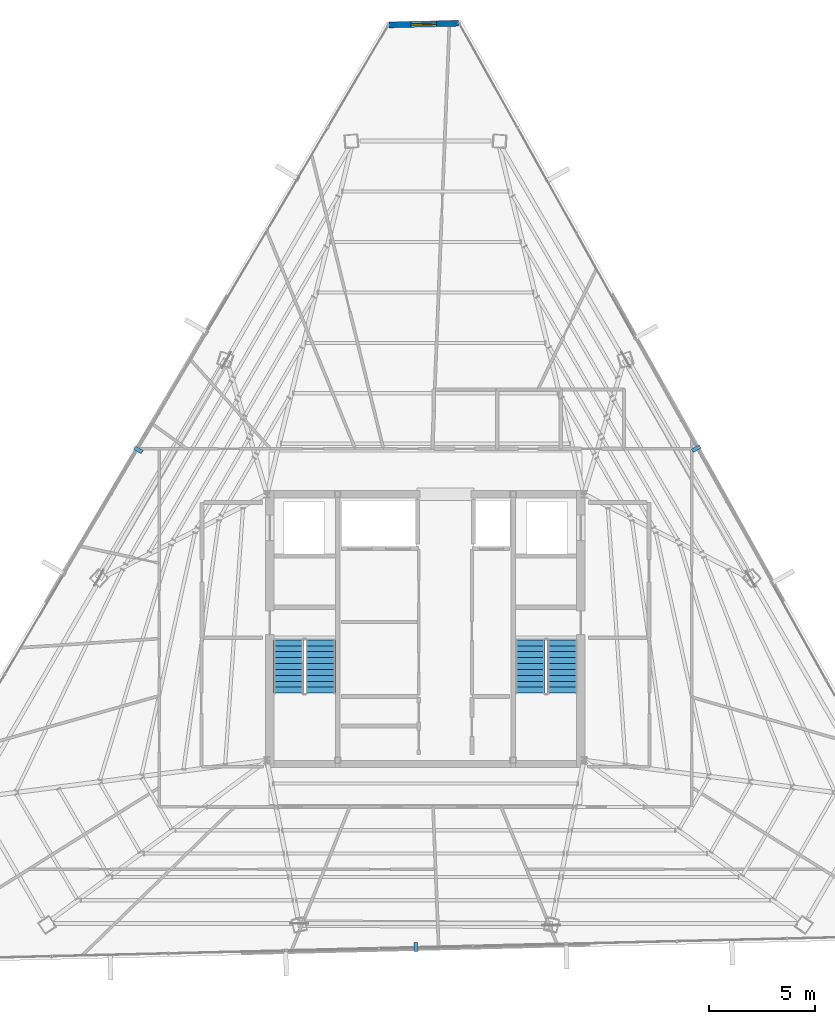
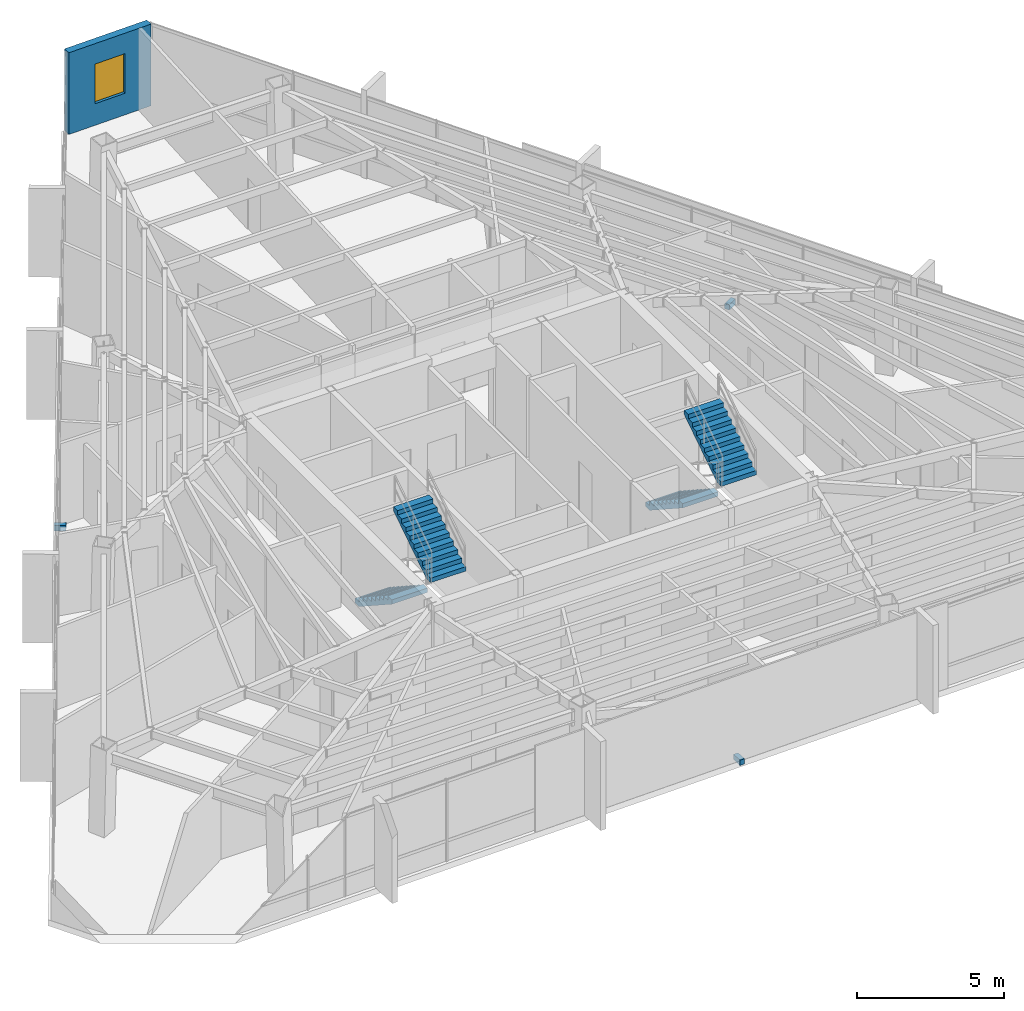
# One storey, part 46 of 48: 4 stair flights, 3 discrete accessories, 1 wall, 1 window, 1 opening, 2 elements without a shape of their own.
"""IFC4 building model written with IfcOpenShell, lengths in metres."""

from ifc_helpers import new_model, si_unit, direction, frame, frame_2d, origin, origin_2d, place, context, subcontext, project, spatial, polyline, rectangle, outline, extrude, source, transform, mapped, material, layer, layer_set, type_object, type_shapes, element, fill, aggregate, save


model = new_model("IFC4")

# Units and contexts
model_context = context("Model", 3, precision=1e-05, world=origin(), true_north=direction((0.0, 1.0)))
body_context = subcontext(model_context, "Body", "Model", "MODEL_VIEW")
ifc_project = project(units=[si_unit("LENGTHUNIT", "METRE"), si_unit("AREAUNIT", "SQUARE_METRE"), si_unit("VOLUMEUNIT", "CUBIC_METRE"), si_unit("PLANEANGLEUNIT", "RADIAN"), si_unit("MASSUNIT", "GRAM", prefix="KILO")], contexts=[model_context])

# Site, building, storey
site_placement = place(None, origin())
site = spatial("IfcSite", under=ifc_project, at=site_placement, CompositionType="ELEMENT")
building_placement = place(site_placement, origin())
building = spatial("IfcBuilding", under=site, at=building_placement, Name="Caelisora Broadcast Tower", CompositionType="ELEMENT")
storey_placement = place(building_placement, frame((0.0, 0.0, 270.0)))
storey = spatial("IfcBuildingStorey", under=building, at=storey_placement, Name="L71", CompositionType="ELEMENT", Elevation=270.0)

# Wall, opening, window
ifc_material_1 = material(Name="Insulated Terracotta Spandrel Wall System", Category="masonry")
ifc_layer = layer(ifc_material_1, 0.280029296875, Name="Insulated Terracotta Spandrel Wall System")
ifc_layer_set = layer_set([ifc_layer], Name="Insulated Terracotta Spandrel Wall System")
wall_type = type_object("IfcWallType", Name="EW1", PredefinedType="STANDARD", material=ifc_layer_set)
wall_placement = place(storey_placement, frame((36.283935546875, 52.206787109375, 0.0), z_axis=(0.0, 0.0, 1.0), x_axis=(0.999706652686, 0.024220003625, 0.0)))
wall = element("IfcWall", 1, at=wall_placement, inside=storey, type_object=wall_type, Name="L71 exterior envelope wall EW1", PredefinedType="STANDARD", context=body_context, shape_type="SweptSolid", body=[
    extrude(rectangle(XDim=3.2861328125, YDim=0.280029296875, at=frame_2d((1.64306640625, 0.0))), origin(), (0.0, 0.0, 1.0), 3.39990234375),
])
opening_placement = place(wall_placement, frame((1.0400390625, 0.0, 0.89990234375)))
opening = element("IfcOpeningElement", 2, at=opening_placement, cuts=wall, Name="Opening W03", PredefinedType="OPENING", context=body_context, shape_type="SweptSolid", body=[
    extrude(rectangle(XDim=1.199951171875, YDim=1.64990234375, at=frame_2d((0.60009765625, 0.824951171875))), frame((0.0, 0.152099609375, 0.0), z_axis=(0.0, -1.0, 0.0), x_axis=(1.0, 0.0, 0.0)), (0.0, 0.0, 1.0), 0.303955078125),
])
ifc_material_2 = material(Name="Double Glazed Corner Vision Window", Category="glass")
window_type = type_object("IfcWindowType", Name="W03", PartitioningType="SINGLE_PANEL", PredefinedType="WINDOW", material=ifc_material_2)
window_placement = place(opening_placement, origin())
window = element("IfcWindow", 3, at=window_placement, inside=storey, type_object=window_type, Name="L71 window W03 (L71-WN-CH8)", OverallHeight=1.64990234375, OverallWidth=1.199951171875, PartitioningType="SINGLE_PANEL", PredefinedType="WINDOW", context=body_context, shape_type="SweptSolid", body=[
    extrude(rectangle(XDim=1.199951171875, YDim=1.64990234375, at=frame_2d((0.60009765625, 0.824951171875))), frame((0.0, 0.030029296875, 0.0), z_axis=(0.0, -1.0, 0.0), x_axis=(1.0, 0.0, 0.0)), (0.0, 0.0, 1.0), 0.06005859375),
])
fill(opening, window)

# Stair, stair flights
ifc_material_3 = material(Name="Concrete 40 MPa (AS 3600 N40)", Category="concrete")
stair_type_1 = type_object("IfcStairType", Name="ST-1", PredefinedType="HALF_TURN_STAIR", material=ifc_material_3)
stair_1_placement = place(storey_placement, origin())
stair_1 = element("IfcStair", 4, at=stair_1_placement, inside=storey, type_object=stair_type_1, Name="L71 West Fire-Isolated Tower Stair", PredefinedType="HALF_TURN_STAIR")
stair_flight_type = type_object("IfcStairFlightType", Name="STF-4", PredefinedType="STRAIGHT", material=ifc_material_3)
stair_flight_1_placement = place(storey_placement, frame((31.52001953125, 23.10009765625, 0.0), z_axis=(0.0, 0.0, 1.0), x_axis=(0.0, -1.0, 0.0)))
stair_flight_1 = element("IfcStairFlight", 5, at=stair_flight_1_placement, type_object=stair_flight_type, Name="ST-1 flight 1", NumberOfRisers=10, NumberOfTreads=9, PredefinedType="STRAIGHT", RiserHeight=0.1825, TreadLength=0.28, context=body_context, shape_type="SweptSolid", body=[
    extrude(outline(polyline([(0.0, 0.0), (0.0, 0.1826171875), (0.280029296875, 0.1826171875), (0.280029296875, 0.364990234375), (0.56005859375, 0.364990234375), (0.56005859375, 0.547607421875), (0.840087890625, 0.547607421875), (0.840087890625, 0.72998046875), (1.1201171875, 0.72998046875), (1.1201171875, 0.91259765625), (1.39990234375, 0.91259765625), (1.39990234375, 1.094970703125), (1.679931640625, 1.094970703125), (1.679931640625, 1.277587890625), (1.9599609375, 1.277587890625), (1.9599609375, 1.4599609375), (2.239990234375, 1.4599609375), (2.239990234375, 1.642578125), (2.52001953125, 1.642578125), (2.52001953125, 1.824951171875), (2.52001953125, 1.463623046875), (0.2744140625, 0.0), (0.0, 0.0)])), frame((0.0, 0.699951171875, 0.0), z_axis=(0.0, -1.0, 0.0), x_axis=(1.0, 0.0, 0.0)), (0.0, 0.0, 1.0), 1.39990234375),
])
stair_flight_2_placement = place(storey_placement, frame((33.0400390625, 20.580078125, 1.824951171875), z_axis=(0.0, 0.0, 1.0), x_axis=(0.0, 1.0, 0.0)))
stair_flight_2 = element("IfcStairFlight", 6, at=stair_flight_2_placement, type_object=stair_flight_type, Name="ST-1 flight 2", NumberOfRisers=10, NumberOfTreads=9, PredefinedType="STRAIGHT", RiserHeight=0.1825, TreadLength=0.28, context=body_context, shape_type="SweptSolid", body=[
    extrude(outline(polyline([(0.0, 0.0), (0.0, 0.1826171875), (0.280029296875, 0.1826171875), (0.280029296875, 0.364990234375), (0.56005859375, 0.364990234375), (0.56005859375, 0.547607421875), (0.840087890625, 0.547607421875), (0.840087890625, 0.72998046875), (1.1201171875, 0.72998046875), (1.1201171875, 0.91259765625), (1.39990234375, 0.91259765625), (1.39990234375, 1.094970703125), (1.679931640625, 1.094970703125), (1.679931640625, 1.277587890625), (1.9599609375, 1.277587890625), (1.9599609375, 1.4599609375), (2.239990234375, 1.4599609375), (2.239990234375, 1.642578125), (2.52001953125, 1.642578125), (2.52001953125, 1.824951171875), (2.52001953125, 1.463623046875), (0.2744140625, 0.0), (0.0, 0.0)])), frame((0.0, 0.699951171875, 0.0), z_axis=(0.0, -1.0, 0.0), x_axis=(1.0, 0.0, 0.0)), (0.0, 0.0, 1.0), 1.39990234375),
])
aggregate(stair_1, [stair_flight_1, stair_flight_2])

stair_type_2 = type_object("IfcStairType", Name="ST-2", PredefinedType="HALF_TURN_STAIR", material=ifc_material_3)
stair_2_placement = place(storey_placement, origin())
stair_2 = element("IfcStair", 7, at=stair_2_placement, inside=storey, type_object=stair_type_2, Name="L71 East Fire-Isolated Tower Stair", PredefinedType="HALF_TURN_STAIR")
stair_flight_3_placement = place(storey_placement, frame((42.9599609375, 23.10009765625, 0.0), z_axis=(0.0, 0.0, 1.0), x_axis=(0.0, -1.0, 0.0)))
stair_flight_3 = element("IfcStairFlight", 8, at=stair_flight_3_placement, type_object=stair_flight_type, Name="ST-2 flight 1", NumberOfRisers=10, NumberOfTreads=9, PredefinedType="STRAIGHT", RiserHeight=0.1825, TreadLength=0.28, context=body_context, shape_type="SweptSolid", body=[
    extrude(outline(polyline([(0.0, 0.0), (0.0, 0.1826171875), (0.280029296875, 0.1826171875), (0.280029296875, 0.364990234375), (0.56005859375, 0.364990234375), (0.56005859375, 0.547607421875), (0.840087890625, 0.547607421875), (0.840087890625, 0.72998046875), (1.1201171875, 0.72998046875), (1.1201171875, 0.91259765625), (1.39990234375, 0.91259765625), (1.39990234375, 1.094970703125), (1.679931640625, 1.094970703125), (1.679931640625, 1.277587890625), (1.9599609375, 1.277587890625), (1.9599609375, 1.4599609375), (2.239990234375, 1.4599609375), (2.239990234375, 1.642578125), (2.52001953125, 1.642578125), (2.52001953125, 1.824951171875), (2.52001953125, 1.463623046875), (0.2744140625, 0.0), (0.0, 0.0)])), frame((0.0, 0.699951171875, 0.0), z_axis=(0.0, -1.0, 0.0), x_axis=(1.0, 0.0, 0.0)), (0.0, 0.0, 1.0), 1.39990234375),
])
stair_flight_4_placement = place(storey_placement, frame((44.47998046875, 20.580078125, 1.824951171875), z_axis=(0.0, 0.0, 1.0), x_axis=(0.0, 1.0, 0.0)))
stair_flight_4 = element("IfcStairFlight", 9, at=stair_flight_4_placement, type_object=stair_flight_type, Name="ST-2 flight 2", NumberOfRisers=10, NumberOfTreads=9, PredefinedType="STRAIGHT", RiserHeight=0.1825, TreadLength=0.28, context=body_context, shape_type="SweptSolid", body=[
    extrude(outline(polyline([(0.0, 0.0), (0.0, 0.1826171875), (0.280029296875, 0.1826171875), (0.280029296875, 0.364990234375), (0.56005859375, 0.364990234375), (0.56005859375, 0.547607421875), (0.840087890625, 0.547607421875), (0.840087890625, 0.72998046875), (1.1201171875, 0.72998046875), (1.1201171875, 0.91259765625), (1.39990234375, 0.91259765625), (1.39990234375, 1.094970703125), (1.679931640625, 1.094970703125), (1.679931640625, 1.277587890625), (1.9599609375, 1.277587890625), (1.9599609375, 1.4599609375), (2.239990234375, 1.4599609375), (2.239990234375, 1.642578125), (2.52001953125, 1.642578125), (2.52001953125, 1.824951171875), (2.52001953125, 1.463623046875), (0.2744140625, 0.0), (0.0, 0.0)])), frame((0.0, 0.699951171875, 0.0), z_axis=(0.0, -1.0, 0.0), x_axis=(1.0, 0.0, 0.0)), (0.0, 0.0, 1.0), 1.39990234375),
])
aggregate(stair_2, [stair_flight_3, stair_flight_4])

# Discrete accessories
ifc_material_4 = material(Name="Steel Grade 350 (AS/NZS 3679.1)", Category="steel")
discrete_accessory_type = type_object("IfcDiscreteAccessoryType", Name="BRK-1", PredefinedType="BRACKET", material=ifc_material_4)
shared_shape = source(origin(), body_context, "Body", "SweptSolid", [
    extrude(rectangle(XDim=0.179931640625, YDim=0.419921875, at=origin_2d()), origin(), (0.0, 0.0, 1.0), 0.219970703125),
])
type_shapes(discrete_accessory_type, [shared_shape])
for number, where, z_axis, x_axis, name in (
    (10, (24.409423828125, 32.094482421875, -0.16015625), (0.0, 0.0, 1.0), (-0.508590662521, -0.861008442465, 0.0), "L71 solar screen outrigger bracket #1"),
    (11, (37.546630859375, 8.5673828125, -0.16015625), (0.0, 0.0, 1.0), (0.999709957315, 0.024083215021, 0.0), "L71 solar screen outrigger bracket #2"),
    (12, (50.814453125, 32.151611328125, -0.16015625), (0.0, 0.0, 1.0), (-0.487707298065, 0.873007211547, 0.0), "L71 solar screen outrigger bracket #3"),
):
    element("IfcDiscreteAccessory", number, at=place(storey_placement, frame(where, z_axis=z_axis, x_axis=x_axis)), inside=storey, type_object=discrete_accessory_type, Name=name, PredefinedType="BRACKET", context=body_context, shape_type="MappedRepresentation", body=[
        mapped(shared_shape, transform((0.0, 0.0, 0.0), scale=1.0)),
    ])

save(model, "model.ifc")
